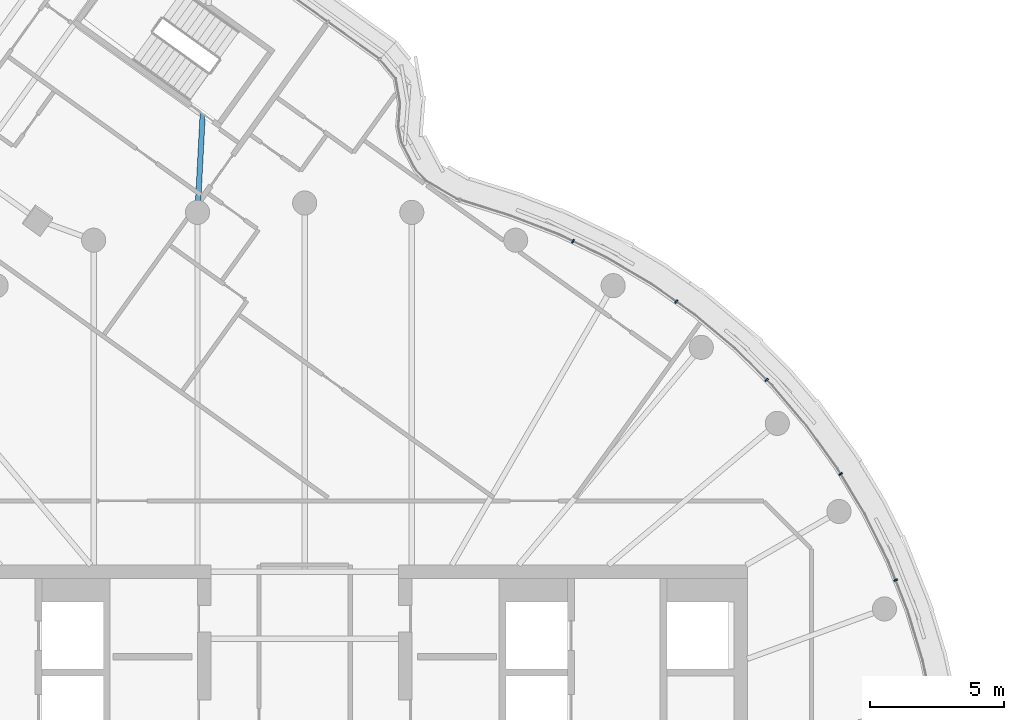
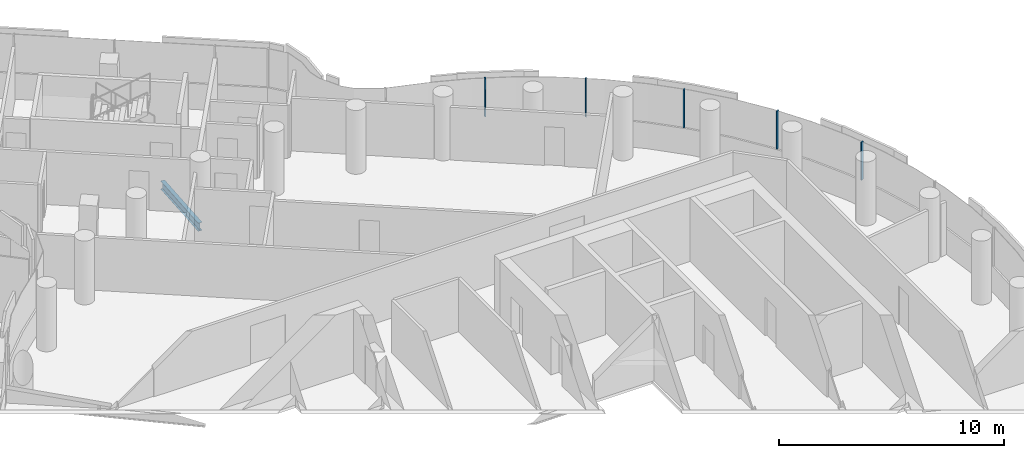
# One storey, part 13 of 27: 5 members, 1 beam, 1 element without a shape of its own.
"""IFC4 building model written with IfcOpenShell, lengths in metres."""

from ifc_helpers import new_model, si_unit, direction, frame, origin, origin_2d, place, context, subcontext, project, spatial, rectangle, i_section, extrude, material, layer, layer_set, material_profile, profile_set, type_object, element, aggregate, save


model = new_model("IFC4")

# Units and contexts
model_context = context("Model", 3, precision=1e-05, world=origin(), true_north=direction((0.0, 1.0)))
body_context = subcontext(model_context, "Body", "Model", "MODEL_VIEW")
ifc_project = project(units=[si_unit("LENGTHUNIT", "METRE"), si_unit("AREAUNIT", "SQUARE_METRE"), si_unit("VOLUMEUNIT", "CUBIC_METRE"), si_unit("PLANEANGLEUNIT", "RADIAN"), si_unit("MASSUNIT", "GRAM", prefix="KILO")], contexts=[model_context])

# Site, building, storey
site_placement = place(None, origin())
site = spatial("IfcSite", under=ifc_project, at=site_placement, CompositionType="ELEMENT")
building_placement = place(site_placement, origin())
building = spatial("IfcBuilding", under=site, at=building_placement, Name="Tamarind Cross Interchange Tower", CompositionType="ELEMENT")
storey_placement = place(building_placement, frame((0.0, 0.0, 230.699951171875)))
storey = spatial("IfcBuildingStorey", under=building, at=storey_placement, Name="L58", CompositionType="ELEMENT", Elevation=230.699951171875)

# Beam
ifc_material_1 = material(Name="Steel Q355B", Category="steel")
ifc_material_profile_1 = material_profile(ifc_material_1, i_section(OverallWidth=0.198974609375, OverallDepth=0.446044921875, WebThickness=0.008056640625, FlangeThickness=0.011962890625, FilletRadius=0.012939453125, at=origin_2d()), Name="HN 446x199x8x12")
ifc_profile_set_1 = profile_set([ifc_material_profile_1], Name="Steel Q355B")
beam_type = type_object("IfcBeamType", Name="Composite beam HN 446x199x8x12 Q355B", PredefinedType="BEAM", material=ifc_profile_set_1)
beam_placement = place(storey_placement, frame((-3.79931640625, 26.327392578125, -0.363037109375), z_axis=(-0.052847693205, -0.998602584276, 0.0), x_axis=(0.998602584276, -0.052847693205, 0.0)))
element("IfcBeam", 1, at=beam_placement, inside=storey, type_object=beam_type, Name="Beam N-linkemt1", PredefinedType="BEAM", context=body_context, shape_type="SweptSolid", body=[
    extrude(i_section(OverallWidth=0.198974609375, OverallDepth=0.446044921875, WebThickness=0.008056640625, FlangeThickness=0.011962890625, FilletRadius=0.012939453125, at=origin_2d()), origin(), (0.0, 0.0, 1.0), 3.681884765625),
])

# Curtain wall, members
ifc_material_2 = material(Name="Aluminium 6063-T6", Category="aluminium")
ifc_layer = layer(ifc_material_2, 0.139892578125)
ifc_layer_set = layer_set([ifc_layer], Name="Aluminium 6063-T6")
curtain_wall_type = type_object("IfcCurtainWallType", Name="Hotel curtain wall, 4.5 m bays", PredefinedType="NOTDEFINED", material=ifc_layer_set)
curtain_wall_placement = place(storey_placement, origin())
curtain_wall = element("IfcCurtainWall", 2, at=curtain_wall_placement, inside=storey, type_object=curtain_wall_type, Name="CWS-L58-02", PredefinedType="NOTDEFINED")
ifc_material_profile_2 = material_profile(ifc_material_2, rectangle(XDim=0.06005859375, YDim=0.139892578125, at=origin_2d()), Name="Mullion CW2")
ifc_profile_set_2 = profile_set([ifc_material_profile_2], Name="Aluminium 6063-T6")
member_type = type_object("IfcMemberType", Name="Mullion CW2", PredefinedType="MULLION", material=ifc_profile_set_2)
member_1_placement = place(storey_placement, frame((22.03125, 8.941162109375, 1.400146484375), z_axis=(0.0, 0.0, 1.0), x_axis=(-0.367513773146, 0.930018078613, 0.0)))
member_1 = element("IfcMember", 3, at=member_1_placement, type_object=member_type, Name="CWM-L58-02-16", PredefinedType="MULLION", context=body_context, shape_type="SweptSolid", body=[
    extrude(rectangle(XDim=0.06005859375, YDim=0.139892578125, at=origin_2d()), origin(), (0.0, 0.0, 1.0), 2.059814453125),
])
member_2_placement = place(storey_placement, frame((19.98388671875, 12.90283203125, 1.400146484375), z_axis=(0.0, 0.0, 1.0), x_axis=(-0.515577308909, 0.856843065292, 0.0)))
member_2 = element("IfcMember", 4, at=member_2_placement, type_object=member_type, Name="CWM-L58-02-17", PredefinedType="MULLION", context=body_context, shape_type="SweptSolid", body=[
    extrude(rectangle(XDim=0.06005859375, YDim=0.139892578125, at=origin_2d()), origin(), (0.0, 0.0, 1.0), 2.059814453125),
])
member_3_placement = place(storey_placement, frame((17.22314453125, 16.404296875, 1.400146484375), z_axis=(0.0, 0.0, 1.0), x_axis=(-0.710143317658, 0.704057148523, 0.0)))
member_3 = element("IfcMember", 5, at=member_3_placement, type_object=member_type, Name="CWM-L58-02-18", PredefinedType="MULLION", context=body_context, shape_type="SweptSolid", body=[
    extrude(rectangle(XDim=0.06005859375, YDim=0.139892578125, at=origin_2d()), origin(), (0.0, 0.0, 1.0), 2.059814453125),
])
member_4_placement = place(storey_placement, frame((13.852294921875, 19.32373046875, 1.400146484375), z_axis=(0.0, 0.0, 1.0), x_axis=(-0.816341886298, 0.577568978284, 0.0)))
member_4 = element("IfcMember", 6, at=member_4_placement, type_object=member_type, Name="CWM-L58-02-19", PredefinedType="MULLION", context=body_context, shape_type="SweptSolid", body=[
    extrude(rectangle(XDim=0.06005859375, YDim=0.139892578125, at=origin_2d()), origin(), (0.0, 0.0, 1.0), 2.059814453125),
])
member_5_placement = place(storey_placement, frame((10.002197265625, 21.572509765625, 1.400146484375), z_axis=(0.0, 0.0, 1.0), x_axis=(-0.900272776334, 0.435326231914, 0.0)))
member_5 = element("IfcMember", 7, at=member_5_placement, type_object=member_type, Name="CWM-L58-02-20", PredefinedType="MULLION", context=body_context, shape_type="SweptSolid", body=[
    extrude(rectangle(XDim=0.06005859375, YDim=0.139892578125, at=origin_2d()), origin(), (0.0, 0.0, 1.0), 2.059814453125),
])
aggregate(curtain_wall, [member_1, member_2, member_3, member_4, member_5])

save(model, "model.ifc")
